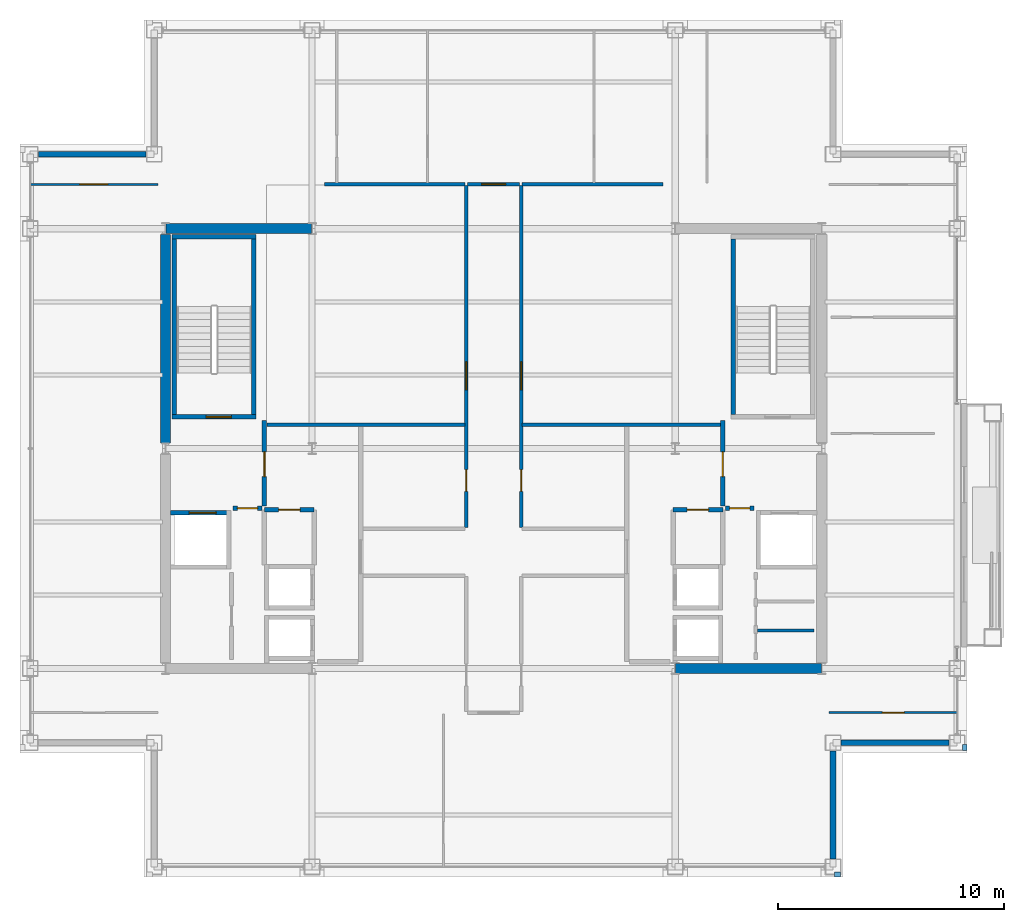
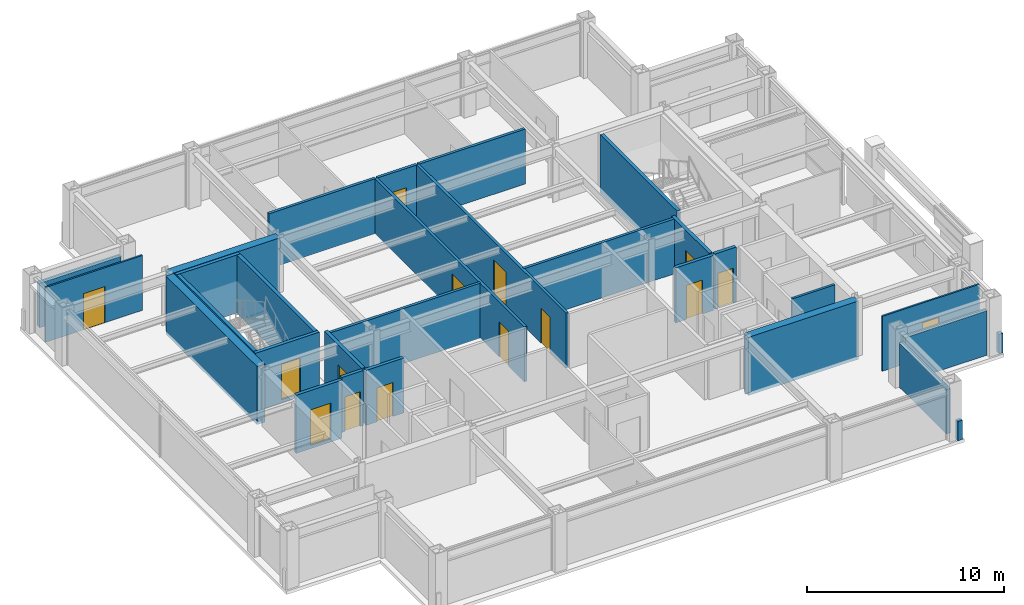
# One storey, part 25 of 29: 30 walls, 15 doors, 15 openings.
"""IFC4 building model written with IfcOpenShell, lengths in metres."""

from ifc_helpers import new_model, si_unit, direction, frame, frame_2d, origin, place, context, subcontext, project, spatial, rectangle, extrude, material, layer, layer_set, type_object, element, fill, save


model = new_model("IFC4")

# Units and contexts
model_context = context("Model", 3, precision=1e-05, world=origin(), true_north=direction((0.0, 1.0)))
body_context = subcontext(model_context, "Body", "Model", "MODEL_VIEW")
ifc_project = project(units=[si_unit("LENGTHUNIT", "METRE"), si_unit("AREAUNIT", "SQUARE_METRE"), si_unit("VOLUMEUNIT", "CUBIC_METRE"), si_unit("PLANEANGLEUNIT", "RADIAN"), si_unit("MASSUNIT", "GRAM", prefix="KILO")], contexts=[model_context])

# Site, building, storey
site_placement = place(None, origin())
site = spatial("IfcSite", under=ifc_project, at=site_placement, CompositionType="ELEMENT")
building_placement = place(site_placement, origin())
building = spatial("IfcBuilding", under=site, at=building_placement, Name="Brelmoor Portico Tower", CompositionType="ELEMENT")
storey_placement = place(building_placement, frame((0.0, 0.0, 201.89990234375)))
storey = spatial("IfcBuildingStorey", under=building, at=storey_placement, Name="L53", CompositionType="ELEMENT", Elevation=201.89990234375)

# Walls
ifc_material_1 = material(Name="Concrete C50", Category="concrete")
ifc_layer_1 = layer(ifc_material_1, 0.449951171875)
ifc_layer_set_1 = layer_set([ifc_layer_1], Name="Concrete C50")
wall_type_1 = type_object("IfcWallType", Name="WL-CORE-450", PredefinedType="SHEAR", material=ifc_layer_set_1)
wall_1_placement = place(storey_placement, frame((-14.530029296875, 9.75, -0.199951171875), z_axis=(0.0, 0.0, 1.0), x_axis=(1.0, 0.0, 0.0)))
element("IfcWall", 1, at=wall_1_placement, inside=storey, type_object=wall_type_1, Name="L53 WC North Shear Wall", PredefinedType="SHEAR", context=body_context, shape_type="SweptSolid", body=[
    extrude(rectangle(XDim=6.4599609375, YDim=0.449951171875, at=frame_2d((3.22998046875, 0.0))), origin(), (0.0, 0.0, 1.0), 3.60009765625),
])
wall_2_placement = place(storey_placement, frame((-14.550048828125, 0.25, -0.199951171875), z_axis=(0.0, 0.0, 1.0), x_axis=(0.0, 1.0, 0.0)))
element("IfcWall", 2, at=wall_2_placement, inside=storey, type_object=wall_type_1, Name="L53 WC Outer North Shear Wall", PredefinedType="SHEAR", context=body_context, shape_type="SweptSolid", body=[
    extrude(rectangle(XDim=9.25, YDim=0.449951171875, at=frame_2d((4.625, 0.0))), origin(), (0.0, 0.0, 1.0), 3.60009765625),
])
wall_3_placement = place(storey_placement, frame((8.070068359375, -9.75, -0.199951171875), z_axis=(0.0, 0.0, 1.0), x_axis=(1.0, 0.0, 0.0)))
element("IfcWall", 3, at=wall_3_placement, inside=storey, type_object=wall_type_1, Name="L53 EC South Shear Wall", PredefinedType="SHEAR", context=body_context, shape_type="SweptSolid", body=[
    extrude(rectangle(XDim=6.4599609375, YDim=0.449951171875, at=frame_2d((3.22998046875, 0.0))), origin(), (0.0, 0.0, 1.0), 3.60009765625),
])
ifc_material_2 = material(Name="Precast Concrete C40 Insulated Facade Wall", Category="concrete")
ifc_layer_2 = layer(ifc_material_2, 0.25)
ifc_layer_set_2 = layer_set([ifc_layer_2], Name="Precast Concrete C40 Insulated Facade Wall")
wall_type_2 = type_object("IfcWallType", Name="WL-EXT-250", PredefinedType="STANDARD", material=ifc_layer_set_2)
for number, where, z_axis, x_axis, name in (
    (4, (15.409912109375, -13.050048828125, 0.0), (0.0, 0.0, 1.0), (1.0, 0.0, 0.0), "L53 Corner Notch Facade Wall NSEH1"),
    (5, (15.050048828125, -18.18994140625, 0.0), (0.0, 0.0, 1.0), (0.0, 1.0, 0.0), "L53 Corner Notch Facade Wall NSEV1"),
    (6, (-20.18994140625, 13.050048828125, 0.0), (0.0, 0.0, 1.0), (1.0, 0.0, 0.0), "L53 Corner Notch Facade Wall NNWH1"),
):
    element("IfcWall", number, at=place(storey_placement, frame(where, z_axis=z_axis, x_axis=x_axis)), inside=storey, type_object=wall_type_2, Name=name, PredefinedType="STANDARD", context=body_context, shape_type="SweptSolid", body=[
        extrude(rectangle(XDim=4.780029296875, YDim=0.25, at=frame_2d((2.39013671875, 0.0))), origin(), (0.0, 0.0, 1.0), 2.75),
    ])
ifc_material_3 = material(Name="Concrete C40 Parapet Upstand", Category="concrete")
ifc_layer_3 = layer(ifc_material_3, 0.219970703125)
ifc_layer_set_3 = layer_set([ifc_layer_3], Name="Concrete C40 Parapet Upstand")
wall_type_3 = type_object("IfcWallType", Name="WL-PARAPET-220", PredefinedType="PARAPET", material=ifc_layer_set_3)
for number, where, z_axis, x_axis, name in (
    (7, (15.1201171875, -18.889892578125, 0.0), (0.0, 0.0, 1.0), (1.0, 0.0, 0.0), "L53 Chamfer Vertex Parapet Pier SE1"),
    (8, (20.889892578125, -13.389892578125, 0.0), (0.0, 0.0, 1.0), (0.0, 1.0, 0.0), "L53 Chamfer Vertex Parapet Pier SE2"),
):
    element("IfcWall", number, at=place(storey_placement, frame(where, z_axis=z_axis, x_axis=x_axis)), inside=storey, type_object=wall_type_3, Name=name, PredefinedType="PARAPET", context=body_context, shape_type="SweptSolid", body=[
        extrude(rectangle(XDim=0.269775390625, YDim=0.219970703125, at=frame_2d((0.134765625, 0.0))), origin(), (0.0, 0.0, 1.0), 1.2001953125),
    ])

# Wall, opening, door
ifc_material_4 = material(Name="Demountable Glazed Office Partition", Category="aluminium")
ifc_layer_4 = layer(ifc_material_4, 0.10009765625)
ifc_layer_set_4 = layer_set([ifc_layer_4], Name="Demountable Glazed Office Partition")
wall_type_4 = type_object("IfcWallType", Name="WL-PART-100", PredefinedType="PARTITIONING", material=ifc_layer_set_4)
wall_4_placement = place(storey_placement, frame((-20.56005859375, 11.7099609375, 0.0), z_axis=(0.0, 0.0, 1.0), x_axis=(1.0, 0.0, 0.0)))
wall_4 = element("IfcWall", 9, at=wall_4_placement, inside=storey, type_object=wall_type_4, Name="L53 North Wing Suite Wall WL", PredefinedType="PARTITIONING", context=body_context, shape_type="SweptSolid", body=[
    extrude(rectangle(XDim=5.68017578125, YDim=0.10009765625, at=frame_2d((2.840087890625, 0.0))), origin(), (0.0, 0.0, 1.0), 3.400146484375),
])
opening_1_placement = place(wall_4_placement, frame((2.219970703125, 0.0, 0.0)))
opening_1 = element("IfcOpeningElement", 10, at=opening_1_placement, cuts=wall_4, Name="Opening D-SU1", PredefinedType="OPENING", context=body_context, shape_type="SweptSolid", body=[
    extrude(rectangle(XDim=1.239990234375, YDim=2.239990234375, at=frame_2d((0.6201171875, 1.1201171875))), frame((0.0, 0.06005859375, 0.0), z_axis=(0.0, -1.0, 0.0), x_axis=(1.0, 0.0, 0.0)), (0.0, 0.0, 1.0), 0.1201171875),
])
ifc_material_5 = material(Name="Glazed Timber Executive Suite Door", Category="wood")
door_type_1 = type_object("IfcDoorType", Name="DR-SUITE-1200", OperationType="NOTDEFINED", PredefinedType="DOOR", material=ifc_material_5)
door_1_placement = place(opening_1_placement, origin())
door_1 = element("IfcDoor", 11, at=door_1_placement, inside=storey, type_object=door_type_1, Name="D-2244 L53 WL Wing Suite Connecting Door", OperationType="SINGLE_SWING_LEFT", OverallHeight=2.239990234375, OverallWidth=1.239990234375, PredefinedType="DOOR", context=body_context, shape_type="SweptSolid", body=[
    extrude(rectangle(XDim=1.239990234375, YDim=2.239990234375, at=frame_2d((0.6201171875, 1.1201171875))), frame((0.0, 0.02490234375, 0.0), z_axis=(0.0, -1.0, 0.0), x_axis=(1.0, 0.0, 0.0)), (0.0, 0.0, 1.0), 0.050048828125),
])
fill(opening_1, door_1)

wall_5_placement = place(storey_placement, frame((14.8798828125, -11.7099609375, 0.0), z_axis=(0.0, 0.0, 1.0), x_axis=(1.0, 0.0, 0.0)))
wall_5 = element("IfcWall", 12, at=wall_5_placement, inside=storey, type_object=wall_type_4, Name="L53 South Wing Closure ER", PredefinedType="PARTITIONING", context=body_context, shape_type="SweptSolid", body=[
    extrude(rectangle(XDim=5.68017578125, YDim=0.10009765625, at=frame_2d((2.840087890625, 0.0))), origin(), (0.0, 0.0, 1.0), 3.400146484375),
])
opening_2_placement = place(wall_5_placement, frame((2.360107421875, 0.0, 0.0)))
opening_2 = element("IfcOpeningElement", 13, at=opening_2_placement, cuts=wall_5, Name="Opening D-IN2", PredefinedType="OPENING", context=body_context, shape_type="SweptSolid", body=[
    extrude(rectangle(XDim=0.9599609375, YDim=2.179931640625, at=frame_2d((0.47998046875, 1.08984375))), frame((0.0, 0.06005859375, 0.0), z_axis=(0.0, -1.0, 0.0), x_axis=(1.0, 0.0, 0.0)), (0.0, 0.0, 1.0), 0.1201171875),
])
ifc_material_6 = material(Name="Lacquered Timber Suite Door", Category="wood")
door_type_2 = type_object("IfcDoorType", Name="DR-INT-950", OperationType="NOTDEFINED", PredefinedType="DOOR", material=ifc_material_6)
door_2_placement = place(opening_2_placement, origin())
door_2 = element("IfcDoor", 14, at=door_2_placement, inside=storey, type_object=door_type_2, Name="D-2249 L53 ER Wing South Suite Door", OperationType="SINGLE_SWING_LEFT", OverallHeight=2.179931640625, OverallWidth=0.9599609375, PredefinedType="DOOR", context=body_context, shape_type="SweptSolid", body=[
    extrude(rectangle(XDim=0.9599609375, YDim=2.179931640625, at=frame_2d((0.47998046875, 1.08984375))), frame((0.0, 0.02490234375, 0.0), z_axis=(0.0, -1.0, 0.0), x_axis=(1.0, 0.0, 0.0)), (0.0, 0.0, 1.0), 0.050048828125),
])
fill(opening_2, door_2)

# Walls
ifc_material_7 = material(Name="Insulated Stud Suite Partition", Category="gypsum")
ifc_layer_5 = layer(ifc_material_7, 0.139892578125)
ifc_layer_set_5 = layer_set([ifc_layer_5], Name="Insulated Stud Suite Partition")
wall_type_5 = type_object("IfcWallType", Name="WL-PART-140", PredefinedType="PARTITIONING", material=ifc_layer_set_5)
wall_6_placement = place(storey_placement, frame((11.699951171875, -8.066650390625, 0.0), z_axis=(0.0, 0.0, 1.0), x_axis=(1.0, 0.0, 0.0)))
element("IfcWall", 15, at=wall_6_placement, inside=storey, type_object=wall_type_5, Name="L53 E Core WC Divider 1", PredefinedType="PARTITIONING", context=body_context, shape_type="SweptSolid", body=[
    extrude(rectangle(XDim=2.5, YDim=0.139892578125, at=frame_2d((1.25, 0.0))), origin(), (0.0, 0.0, 1.0), 3.400146484375),
])
ifc_material_8 = material(Name="Twin-Frame Acoustic Partition", Category="gypsum")
ifc_layer_6 = layer(ifc_material_8, 0.159912109375)
ifc_layer_set_6 = layer_set([ifc_layer_6], Name="Twin-Frame Acoustic Partition")
wall_type_6 = type_object("IfcWallType", Name="WL-PART-160", PredefinedType="PARTITIONING", material=ifc_layer_set_6)
wall_7_placement = place(storey_placement, frame((-10.050048828125, 1.050048828125, 0.0), z_axis=(0.0, 0.0, 1.0), x_axis=(1.0, 0.0, 0.0)))
element("IfcWall", 16, at=wall_7_placement, inside=storey, type_object=wall_type_6, Name="L53 West Reclaimed Suite South Wall", PredefinedType="PARTITIONING", context=body_context, shape_type="SweptSolid", body=[
    extrude(rectangle(XDim=8.7900390625, YDim=0.159912109375, at=frame_2d((4.39501953125, 0.0))), origin(), (0.0, 0.0, 1.0), 3.400146484375),
])

# Wall, openings, doors
wall_8_placement = place(storey_placement, frame((-1.219970703125, -3.5, 0.0), z_axis=(0.0, 0.0, 1.0), x_axis=(0.0, 1.0, 0.0)))
wall_8 = element("IfcWall", 17, at=wall_8_placement, inside=storey, type_object=wall_type_6, Name="L53 Central Cross West Wall", PredefinedType="PARTITIONING", context=body_context, shape_type="SweptSolid", body=[
    extrude(rectangle(XDim=15.169921875, YDim=0.159912109375, at=frame_2d((7.5849609375, 0.0))), origin(), (0.0, 0.0, 1.0), 3.400146484375),
])
opening_3_placement = place(wall_8_placement, frame((6.10009765625, 0.0, 0.0)))
opening_3 = element("IfcOpeningElement", 18, at=opening_3_placement, cuts=wall_8, Name="Opening D-SU1", PredefinedType="OPENING", context=body_context, shape_type="SweptSolid", body=[
    extrude(rectangle(XDim=1.239990234375, YDim=2.239990234375, at=frame_2d((0.6201171875, 1.1201171875))), frame((0.0, 0.08984375, 0.0), z_axis=(0.0, -1.0, 0.0), x_axis=(1.0, 0.0, 0.0)), (0.0, 0.0, 1.0), 0.179931640625),
])
opening_4_placement = place(wall_8_placement, frame((1.60009765625, 0.0, 0.0)))
opening_4 = element("IfcOpeningElement", 19, at=opening_4_placement, cuts=wall_8, Name="Opening D-IN2", PredefinedType="OPENING", context=body_context, shape_type="SweptSolid", body=[
    extrude(rectangle(XDim=0.9599609375, YDim=2.179931640625, at=frame_2d((0.47998046875, 1.08984375))), frame((0.0, 0.08984375, 0.0), z_axis=(0.0, -1.0, 0.0), x_axis=(1.0, 0.0, 0.0)), (0.0, 0.0, 1.0), 0.179931640625),
])
door_3_placement = place(opening_4_placement, origin())
door_3 = element("IfcDoor", 20, at=door_3_placement, inside=storey, type_object=door_type_2, Name="D-2224 L53 Staff Pantry Door", OperationType="SINGLE_SWING_LEFT", OverallHeight=2.179931640625, OverallWidth=0.9599609375, PredefinedType="DOOR", context=body_context, shape_type="SweptSolid", body=[
    extrude(rectangle(XDim=0.9599609375, YDim=2.179931640625, at=frame_2d((0.47998046875, 1.08984375))), frame((0.0, 0.02490234375, 0.0), z_axis=(0.0, -1.0, 0.0), x_axis=(1.0, 0.0, 0.0)), (0.0, 0.0, 1.0), 0.050048828125),
])
fill(opening_4, door_3)
door_4_placement = place(opening_3_placement, origin())
door_4 = element("IfcDoor", 21, at=door_4_placement, inside=storey, type_object=door_type_1, Name="D-2225 L53 West Reclaimed Studio Door", OperationType="SINGLE_SWING_RIGHT", OverallHeight=2.239990234375, OverallWidth=1.239990234375, PredefinedType="DOOR", context=body_context, shape_type="SweptSolid", body=[
    extrude(rectangle(XDim=1.239990234375, YDim=2.239990234375, at=frame_2d((0.6201171875, 1.1201171875))), frame((0.0, 0.02490234375, 0.0), z_axis=(0.0, -1.0, 0.0), x_axis=(1.0, 0.0, 0.0)), (0.0, 0.0, 1.0), 0.050048828125),
])
fill(opening_3, door_4)

# Walls
wall_9_placement = place(storey_placement, frame((-7.5, 11.7099609375, 0.0), z_axis=(0.0, 0.0, 1.0), x_axis=(1.0, 0.0, 0.0)))
element("IfcWall", 22, at=wall_9_placement, inside=storey, type_object=wall_type_6, Name="L53 West Reclaimed Suite North Wall", PredefinedType="PARTITIONING", context=body_context, shape_type="SweptSolid", body=[
    extrude(rectangle(XDim=6.239990234375, YDim=0.159912109375, at=frame_2d((3.1201171875, 0.0))), origin(), (0.0, 0.0, 1.0), 3.400146484375),
])
wall_10_placement = place(storey_placement, frame((1.260009765625, 1.050048828125, 0.0), z_axis=(0.0, 0.0, 1.0), x_axis=(1.0, 0.0, 0.0)))
element("IfcWall", 23, at=wall_10_placement, inside=storey, type_object=wall_type_6, Name="L53 East Suite South Wall", PredefinedType="PARTITIONING", context=body_context, shape_type="SweptSolid", body=[
    extrude(rectangle(XDim=8.800048828125, YDim=0.159912109375, at=frame_2d((4.39990234375, 0.0))), origin(), (0.0, 0.0, 1.0), 3.400146484375),
])

# Wall, openings, doors
wall_11_placement = place(storey_placement, frame((1.219970703125, -3.5, 0.0), z_axis=(0.0, 0.0, 1.0), x_axis=(0.0, 1.0, 0.0)))
wall_11 = element("IfcWall", 24, at=wall_11_placement, inside=storey, type_object=wall_type_6, Name="L53 Central Cross East Wall", PredefinedType="PARTITIONING", context=body_context, shape_type="SweptSolid", body=[
    extrude(rectangle(XDim=15.169921875, YDim=0.159912109375, at=frame_2d((7.5849609375, 0.0))), origin(), (0.0, 0.0, 1.0), 3.400146484375),
])
opening_5_placement = place(wall_11_placement, frame((6.10009765625, 0.0, 0.0)))
opening_5 = element("IfcOpeningElement", 25, at=opening_5_placement, cuts=wall_11, Name="Opening D-SU1", PredefinedType="OPENING", context=body_context, shape_type="SweptSolid", body=[
    extrude(rectangle(XDim=1.239990234375, YDim=2.239990234375, at=frame_2d((0.6201171875, 1.1201171875))), frame((0.0, 0.08984375, 0.0), z_axis=(0.0, -1.0, 0.0), x_axis=(1.0, 0.0, 0.0)), (0.0, 0.0, 1.0), 0.179931640625),
])
opening_6_placement = place(wall_11_placement, frame((1.60009765625, 0.0, 0.0)))
opening_6 = element("IfcOpeningElement", 26, at=opening_6_placement, cuts=wall_11, Name="Opening D-IN2", PredefinedType="OPENING", context=body_context, shape_type="SweptSolid", body=[
    extrude(rectangle(XDim=0.9599609375, YDim=2.179931640625, at=frame_2d((0.47998046875, 1.08984375))), frame((0.0, 0.08984375, 0.0), z_axis=(0.0, -1.0, 0.0), x_axis=(1.0, 0.0, 0.0)), (0.0, 0.0, 1.0), 0.179931640625),
])
door_5_placement = place(opening_6_placement, origin())
door_5 = element("IfcDoor", 27, at=door_5_placement, inside=storey, type_object=door_type_2, Name="D-2220 L53 Client Project Office Door", OperationType="SINGLE_SWING_LEFT", OverallHeight=2.179931640625, OverallWidth=0.9599609375, PredefinedType="DOOR", context=body_context, shape_type="SweptSolid", body=[
    extrude(rectangle(XDim=0.9599609375, YDim=2.179931640625, at=frame_2d((0.47998046875, 1.08984375))), frame((0.0, 0.02490234375, 0.0), z_axis=(0.0, -1.0, 0.0), x_axis=(1.0, 0.0, 0.0)), (0.0, 0.0, 1.0), 0.050048828125),
])
fill(opening_6, door_5)
door_6_placement = place(opening_5_placement, origin())
door_6 = element("IfcDoor", 28, at=door_6_placement, inside=storey, type_object=door_type_1, Name="D-2221 L53 East Reclaimed Studio Door", OperationType="SINGLE_SWING_RIGHT", OverallHeight=2.239990234375, OverallWidth=1.239990234375, PredefinedType="DOOR", context=body_context, shape_type="SweptSolid", body=[
    extrude(rectangle(XDim=1.239990234375, YDim=2.239990234375, at=frame_2d((0.6201171875, 1.1201171875))), frame((0.0, 0.02490234375, 0.0), z_axis=(0.0, -1.0, 0.0), x_axis=(1.0, 0.0, 0.0)), (0.0, 0.0, 1.0), 0.050048828125),
])
fill(opening_5, door_6)

# Wall
wall_12_placement = place(storey_placement, frame((1.260009765625, 11.7099609375, 0.0), z_axis=(0.0, 0.0, 1.0), x_axis=(1.0, 0.0, 0.0)))
element("IfcWall", 29, at=wall_12_placement, inside=storey, type_object=wall_type_6, Name="L53 East Suite North Wall", PredefinedType="PARTITIONING", context=body_context, shape_type="SweptSolid", body=[
    extrude(rectangle(XDim=6.239990234375, YDim=0.159912109375, at=frame_2d((3.1201171875, 0.0))), origin(), (0.0, 0.0, 1.0), 3.400146484375),
])

# Wall, opening, door
wall_13_placement = place(storey_placement, frame((-1.14990234375, 11.7099609375, 0.0), z_axis=(0.0, 0.0, 1.0), x_axis=(1.0, 0.0, 0.0)))
wall_13 = element("IfcWall", 30, at=wall_13_placement, inside=storey, type_object=wall_type_6, Name="L53 North Corridor Partition", PredefinedType="PARTITIONING", context=body_context, shape_type="SweptSolid", body=[
    extrude(rectangle(XDim=2.2998046875, YDim=0.159912109375, at=frame_2d((1.14990234375, 0.0))), origin(), (0.0, 0.0, 1.0), 3.400146484375),
])
opening_7_placement = place(wall_13_placement, frame((0.6201171875, 0.0, 0.0)))
opening_7 = element("IfcOpeningElement", 31, at=opening_7_placement, cuts=wall_13, Name="Opening D-OF2", PredefinedType="OPENING", context=body_context, shape_type="SweptSolid", body=[
    extrude(rectangle(XDim=1.06005859375, YDim=2.199951171875, at=frame_2d((0.530029296875, 1.10009765625))), frame((0.0, 0.08984375, 0.0), z_axis=(0.0, -1.0, 0.0), x_axis=(1.0, 0.0, 0.0)), (0.0, 0.0, 1.0), 0.179931640625),
])
ifc_material_9 = material(Name="Hardwood Acoustic Veneer Door", Category="wood")
door_type_3 = type_object("IfcDoorType", Name="DR-OFFICE-1050", OperationType="NOTDEFINED", PredefinedType="DOOR", material=ifc_material_9)
door_7_placement = place(opening_7_placement, origin())
door_7 = element("IfcDoor", 32, at=door_7_placement, inside=storey, type_object=door_type_3, Name="D-2238 L53 North Partner Office 3 Door", OperationType="SINGLE_SWING_RIGHT", OverallHeight=2.199951171875, OverallWidth=1.06005859375, PredefinedType="DOOR", context=body_context, shape_type="SweptSolid", body=[
    extrude(rectangle(XDim=1.06005859375, YDim=2.199951171875, at=frame_2d((0.530029296875, 1.10009765625))), frame((0.0, 0.02490234375, 0.0), z_axis=(0.0, -1.0, 0.0), x_axis=(1.0, 0.0, 0.0)), (0.0, 0.0, 1.0), 0.050048828125),
])
fill(opening_7, door_7)

ifc_material_10 = material(Name="Double-Stud Gypsum Fire Partition", Category="gypsum")
ifc_layer_7 = layer(ifc_material_10, 0.199951171875)
ifc_layer_set_7 = layer_set([ifc_layer_7], Name="Double-Stud Gypsum Fire Partition")
wall_type_7 = type_object("IfcWallType", Name="WL-PART-200", PredefinedType="PARTITIONING", material=ifc_layer_set_7)
wall_14_placement = place(storey_placement, frame((-10.159912109375, -2.550048828125, 0.0), z_axis=(0.0, 0.0, 1.0), x_axis=(0.0, 1.0, 0.0)))
wall_14 = element("IfcWall", 33, at=wall_14_placement, inside=storey, type_object=wall_type_7, Name="L53 W Firefighting Lobby Wall", PredefinedType="PARTITIONING", context=body_context, shape_type="SweptSolid", body=[
    extrude(rectangle(XDim=3.800048828125, YDim=0.199951171875, at=frame_2d((1.89990234375, 0.0))), origin(), (0.0, 0.0, 1.0), 3.400146484375),
])
opening_8_placement = place(wall_14_placement, frame((1.300048828125, 0.0, 0.0)))
opening_8 = element("IfcOpeningElement", 34, at=opening_8_placement, cuts=wall_14, Name="Opening D-FR1", PredefinedType="OPENING", context=body_context, shape_type="SweptSolid", body=[
    extrude(rectangle(XDim=1.10009765625, YDim=2.14990234375, at=frame_2d((0.550048828125, 1.074951171875))), frame((0.0, 0.10986328125, 0.0), z_axis=(0.0, -1.0, 0.0), x_axis=(1.0, 0.0, 0.0)), (0.0, 0.0, 1.0), 0.219970703125),
])
ifc_material_11 = material(Name="Painted Galvanised Steel Fire Door", Category="steel")
door_type_4 = type_object("IfcDoorType", Name="DR-FIRE-1100", OperationType="NOTDEFINED", PredefinedType="DOOR", material=ifc_material_11)
door_8_placement = place(opening_8_placement, origin())
door_8 = element("IfcDoor", 35, at=door_8_placement, inside=storey, type_object=door_type_4, Name="D-2235 L53 W Firefighting Lobby Door", OperationType="SINGLE_SWING_RIGHT", OverallHeight=2.14990234375, OverallWidth=1.10009765625, PredefinedType="DOOR", context=body_context, shape_type="SweptSolid", body=[
    extrude(rectangle(XDim=1.10009765625, YDim=2.14990234375, at=frame_2d((0.550048828125, 1.074951171875))), frame((0.0, 0.02490234375, 0.0), z_axis=(0.0, -1.0, 0.0), x_axis=(1.0, 0.0, 0.0)), (0.0, 0.0, 1.0), 0.050048828125),
])
fill(opening_8, door_8)

wall_15_placement = place(storey_placement, frame((-10.280029296875, -2.64990234375, 0.0), z_axis=(0.0, 0.0, 1.0), x_axis=(-1.0, 0.0, 0.0)))
wall_15 = element("IfcWall", 36, at=wall_15_placement, inside=storey, type_object=wall_type_7, Name="L53 W Firefighting Lobby South Wall", PredefinedType="PARTITIONING", context=body_context, shape_type="SweptSolid", body=[
    extrude(rectangle(XDim=1.27001953125, YDim=0.199951171875, at=frame_2d((0.635009765625, 0.0))), origin(), (0.0, 0.0, 1.0), 3.400146484375),
])
opening_9_placement = place(wall_15_placement, frame((0.18505859375, 0.0, 0.0)))
opening_9 = element("IfcOpeningElement", 37, at=opening_9_placement, cuts=wall_15, Name="Opening D-IN1", PredefinedType="OPENING", context=body_context, shape_type="SweptSolid", body=[
    extrude(rectangle(XDim=0.89990234375, YDim=2.14990234375, at=frame_2d((0.449951171875, 1.074951171875))), frame((0.0, 0.10986328125, 0.0), z_axis=(0.0, -1.0, 0.0), x_axis=(1.0, 0.0, 0.0)), (0.0, 0.0, 1.0), 0.219970703125),
])
door_type_5 = type_object("IfcDoorType", Name="DR-INT-900", OperationType="NOTDEFINED", PredefinedType="DOOR", material=ifc_material_6)
door_9_placement = place(opening_9_placement, origin())
door_9 = element("IfcDoor", 38, at=door_9_placement, inside=storey, type_object=door_type_5, Name="D-2230 L53 W Core Service Vestibule Door", OperationType="SINGLE_SWING_LEFT", OverallHeight=2.14990234375, OverallWidth=0.89990234375, PredefinedType="DOOR", context=body_context, shape_type="SweptSolid", body=[
    extrude(rectangle(XDim=0.89990234375, YDim=2.14990234375, at=frame_2d((0.449951171875, 1.074951171875))), frame((0.0, 0.02490234375, 0.0), z_axis=(0.0, -1.0, 0.0), x_axis=(1.0, 0.0, 0.0)), (0.0, 0.0, 1.0), 0.050048828125),
])
fill(opening_9, door_9)

wall_16_placement = place(storey_placement, frame((-7.9599609375, -2.719970703125, 0.0), z_axis=(0.0, 0.0, 1.0), x_axis=(-1.0, 0.0, 0.0)))
wall_16 = element("IfcWall", 39, at=wall_16_placement, inside=storey, type_object=wall_type_7, Name="L53 W Electrical Switchgear Closet Wall", PredefinedType="PARTITIONING", context=body_context, shape_type="SweptSolid", body=[
    extrude(rectangle(XDim=2.199951171875, YDim=0.199951171875, at=frame_2d((1.10009765625, 0.0))), origin(), (0.0, 0.0, 1.0), 3.400146484375),
])
opening_10_placement = place(wall_16_placement, frame((0.6201171875, 0.0, 0.0)))
opening_10 = element("IfcOpeningElement", 40, at=opening_10_placement, cuts=wall_16, Name="Opening D-FR4", PredefinedType="OPENING", context=body_context, shape_type="SweptSolid", body=[
    extrude(rectangle(XDim=0.949951171875, YDim=2.10009765625, at=frame_2d((0.47509765625, 1.050048828125))), frame((0.0, 0.10986328125, 0.0), z_axis=(0.0, -1.0, 0.0), x_axis=(1.0, 0.0, 0.0)), (0.0, 0.0, 1.0), 0.219970703125),
])
ifc_material_12 = material(Name="Painted Galvanised Steel Riser Door", Category="steel")
door_type_6 = type_object("IfcDoorType", Name="DR-FIRE-950", OperationType="NOTDEFINED", PredefinedType="DOOR", material=ifc_material_12)
door_10_placement = place(opening_10_placement, origin())
door_10 = element("IfcDoor", 41, at=door_10_placement, inside=storey, type_object=door_type_6, Name="D-2233 L53 W Electrical Switchgear Closet Door", OperationType="SINGLE_SWING_RIGHT", OverallHeight=2.10009765625, OverallWidth=0.949951171875, PredefinedType="DOOR", context=body_context, shape_type="SweptSolid", body=[
    extrude(rectangle(XDim=0.949951171875, YDim=2.10009765625, at=frame_2d((0.47509765625, 1.050048828125))), frame((0.0, 0.02490234375, 0.0), z_axis=(0.0, -1.0, 0.0), x_axis=(1.0, 0.0, 0.0)), (0.0, 0.0, 1.0), 0.050048828125),
])
fill(opening_10, door_10)

wall_17_placement = place(storey_placement, frame((10.159912109375, -2.550048828125, 0.0), z_axis=(0.0, 0.0, 1.0), x_axis=(0.0, 1.0, 0.0)))
wall_17 = element("IfcWall", 42, at=wall_17_placement, inside=storey, type_object=wall_type_7, Name="L53 E Firefighting Lobby Wall", PredefinedType="PARTITIONING", context=body_context, shape_type="SweptSolid", body=[
    extrude(rectangle(XDim=3.800048828125, YDim=0.199951171875, at=frame_2d((1.89990234375, 0.0))), origin(), (0.0, 0.0, 1.0), 3.400146484375),
])
opening_11_placement = place(wall_17_placement, frame((1.300048828125, 0.0, 0.0)))
opening_11 = element("IfcOpeningElement", 43, at=opening_11_placement, cuts=wall_17, Name="Opening D-FR1", PredefinedType="OPENING", context=body_context, shape_type="SweptSolid", body=[
    extrude(rectangle(XDim=1.10009765625, YDim=2.14990234375, at=frame_2d((0.550048828125, 1.074951171875))), frame((0.0, 0.10986328125, 0.0), z_axis=(0.0, -1.0, 0.0), x_axis=(1.0, 0.0, 0.0)), (0.0, 0.0, 1.0), 0.219970703125),
])
door_11_placement = place(opening_11_placement, origin())
door_11 = element("IfcDoor", 44, at=door_11_placement, inside=storey, type_object=door_type_4, Name="D-2234 L53 E Firefighting Lobby Door", OperationType="SINGLE_SWING_RIGHT", OverallHeight=2.14990234375, OverallWidth=1.10009765625, PredefinedType="DOOR", context=body_context, shape_type="SweptSolid", body=[
    extrude(rectangle(XDim=1.10009765625, YDim=2.14990234375, at=frame_2d((0.550048828125, 1.074951171875))), frame((0.0, 0.02490234375, 0.0), z_axis=(0.0, -1.0, 0.0), x_axis=(1.0, 0.0, 0.0)), (0.0, 0.0, 1.0), 0.050048828125),
])
fill(opening_11, door_11)

wall_18_placement = place(storey_placement, frame((10.280029296875, -2.64990234375, 0.0), z_axis=(0.0, 0.0, 1.0), x_axis=(1.0, 0.0, 0.0)))
wall_18 = element("IfcWall", 45, at=wall_18_placement, inside=storey, type_object=wall_type_7, Name="L53 E Firefighting Lobby South Wall", PredefinedType="PARTITIONING", context=body_context, shape_type="SweptSolid", body=[
    extrude(rectangle(XDim=1.27001953125, YDim=0.199951171875, at=frame_2d((0.635009765625, 0.0))), origin(), (0.0, 0.0, 1.0), 3.400146484375),
])
opening_12_placement = place(wall_18_placement, frame((0.18505859375, 0.0, 0.0)))
opening_12 = element("IfcOpeningElement", 46, at=opening_12_placement, cuts=wall_18, Name="Opening D-IN1", PredefinedType="OPENING", context=body_context, shape_type="SweptSolid", body=[
    extrude(rectangle(XDim=0.89990234375, YDim=2.14990234375, at=frame_2d((0.449951171875, 1.074951171875))), frame((0.0, 0.10986328125, 0.0), z_axis=(0.0, -1.0, 0.0), x_axis=(1.0, 0.0, 0.0)), (0.0, 0.0, 1.0), 0.219970703125),
])
door_12_placement = place(opening_12_placement, origin())
door_12 = element("IfcDoor", 47, at=door_12_placement, inside=storey, type_object=door_type_5, Name="D-2229 L53 E Core Service Vestibule Door", OperationType="SINGLE_SWING_LEFT", OverallHeight=2.14990234375, OverallWidth=0.89990234375, PredefinedType="DOOR", context=body_context, shape_type="SweptSolid", body=[
    extrude(rectangle(XDim=0.89990234375, YDim=2.14990234375, at=frame_2d((0.449951171875, 1.074951171875))), frame((0.0, 0.02490234375, 0.0), z_axis=(0.0, -1.0, 0.0), x_axis=(1.0, 0.0, 0.0)), (0.0, 0.0, 1.0), 0.050048828125),
])
fill(opening_12, door_12)

wall_19_placement = place(storey_placement, frame((7.9599609375, -2.719970703125, 0.0), z_axis=(0.0, 0.0, 1.0), x_axis=(1.0, 0.0, 0.0)))
wall_19 = element("IfcWall", 48, at=wall_19_placement, inside=storey, type_object=wall_type_7, Name="L53 E Electrical Switchgear Closet Wall", PredefinedType="PARTITIONING", context=body_context, shape_type="SweptSolid", body=[
    extrude(rectangle(XDim=2.199951171875, YDim=0.199951171875, at=frame_2d((1.10009765625, 0.0))), origin(), (0.0, 0.0, 1.0), 3.400146484375),
])
opening_13_placement = place(wall_19_placement, frame((0.6201171875, 0.0, 0.0)))
opening_13 = element("IfcOpeningElement", 49, at=opening_13_placement, cuts=wall_19, Name="Opening D-FR4", PredefinedType="OPENING", context=body_context, shape_type="SweptSolid", body=[
    extrude(rectangle(XDim=0.949951171875, YDim=2.10009765625, at=frame_2d((0.47509765625, 1.050048828125))), frame((0.0, 0.10986328125, 0.0), z_axis=(0.0, -1.0, 0.0), x_axis=(1.0, 0.0, 0.0)), (0.0, 0.0, 1.0), 0.219970703125),
])
door_13_placement = place(opening_13_placement, origin())
door_13 = element("IfcDoor", 50, at=door_13_placement, inside=storey, type_object=door_type_6, Name="D-2232 L53 E Electrical Switchgear Closet Door", OperationType="SINGLE_SWING_RIGHT", OverallHeight=2.10009765625, OverallWidth=0.949951171875, PredefinedType="DOOR", context=body_context, shape_type="SweptSolid", body=[
    extrude(rectangle(XDim=0.949951171875, YDim=2.10009765625, at=frame_2d((0.47509765625, 1.050048828125))), frame((0.0, 0.02490234375, 0.0), z_axis=(0.0, -1.0, 0.0), x_axis=(1.0, 0.0, 0.0)), (0.0, 0.0, 1.0), 0.050048828125),
])
fill(opening_13, door_13)

ifc_material_13 = material(Name="Precast Concrete C40", Category="concrete")
ifc_layer_8 = layer(ifc_material_13, 0.18994140625)
ifc_layer_set_8 = layer_set([ifc_layer_8], Name="Precast Concrete C40")
wall_type_8 = type_object("IfcWallType", Name="WL-SHAFT-180", PredefinedType="SOLIDWALL", material=ifc_layer_set_8)
wall_20_placement = place(storey_placement, frame((-14.330078125, -2.844970703125, -0.199951171875), z_axis=(0.0, 0.0, 1.0), x_axis=(1.0, 0.0, 0.0)))
wall_20 = element("IfcWall", 51, at=wall_20_placement, inside=storey, type_object=wall_type_8, Name="L53 Lift FF1 Hoistway Front Wall", PredefinedType="SOLIDWALL", context=body_context, shape_type="SweptSolid", body=[
    extrude(rectangle(XDim=2.68017578125, YDim=0.18994140625, at=frame_2d((1.340087890625, 0.0))), origin(), (0.0, 0.0, 1.0), 3.60009765625),
])
opening_14_placement = place(wall_20_placement, frame((0.830078125, 0.0, 0.199951171875)))
opening_14 = element("IfcOpeningElement", 52, at=opening_14_placement, cuts=wall_20, Name="Opening LD-02", PredefinedType="OPENING", context=body_context, shape_type="SweptSolid", body=[
    extrude(rectangle(XDim=1.199951171875, YDim=2.199951171875, at=frame_2d((0.60009765625, 1.10009765625))), frame((0.0, 0.10498046875, 0.0), z_axis=(0.0, -1.0, 0.0), x_axis=(1.0, 0.0, 0.0)), (0.0, 0.0, 1.0), 0.2099609375),
])
ifc_material_14 = material(Name="Brushed Stainless Steel Firefighting Lift Door", Category="steel")
door_type_7 = type_object("IfcDoorType", Name="DR-LIFT-1200", OperationType="NOTDEFINED", PredefinedType="DOOR", material=ifc_material_14)
door_14_placement = place(opening_14_placement, origin())
door_14 = element("IfcDoor", 53, at=door_14_placement, inside=storey, type_object=door_type_7, Name="D-2254 L53 Lift FF1 Sliding Landing Door", OperationType="SLIDING_TO_LEFT", OverallHeight=2.199951171875, OverallWidth=1.199951171875, PredefinedType="DOOR", context=body_context, shape_type="SweptSolid", body=[
    extrude(rectangle(XDim=1.199951171875, YDim=2.199951171875, at=frame_2d((0.60009765625, 1.10009765625))), frame((0.0, 0.02490234375, 0.0), z_axis=(0.0, -1.0, 0.0), x_axis=(1.0, 0.0, 0.0)), (0.0, 0.0, 1.0), 0.050048828125),
])
fill(opening_14, door_14)

# Wall
ifc_material_15 = material(Name="Concrete C40", Category="concrete")
ifc_layer_9 = layer(ifc_material_15, 0.199951171875)
ifc_layer_set_9 = layer_set([ifc_layer_9], Name="Concrete C40")
wall_type_9 = type_object("IfcWallType", Name="WL-SHAFT-RC200", PredefinedType="SOLIDWALL", material=ifc_layer_set_9)
wall_21_placement = place(storey_placement, frame((-14.14990234375, 1.5, -0.199951171875), z_axis=(0.0, 0.0, 1.0), x_axis=(0.0, 1.0, 0.0)))
element("IfcWall", 54, at=wall_21_placement, inside=storey, type_object=wall_type_9, Name="L53 ST-W Structural Stair Wall Outer", PredefinedType="SOLIDWALL", context=body_context, shape_type="SweptSolid", body=[
    extrude(rectangle(XDim=7.800048828125, YDim=0.199951171875, at=frame_2d((3.89990234375, 0.0))), origin(), (0.0, 0.0, 1.0), 3.60009765625),
])

# Wall, opening, door
wall_22_placement = place(storey_placement, frame((-14.25, 1.39990234375, -0.199951171875), z_axis=(0.0, 0.0, 1.0), x_axis=(1.0, 0.0, 0.0)))
wall_22 = element("IfcWall", 55, at=wall_22_placement, inside=storey, type_object=wall_type_9, Name="L53 ST-W Structural Stair Wall S", PredefinedType="SOLIDWALL", context=body_context, shape_type="SweptSolid", body=[
    extrude(rectangle(XDim=3.719970703125, YDim=0.199951171875, at=frame_2d((1.85986328125, 0.0))), origin(), (0.0, 0.0, 1.0), 3.60009765625),
])
opening_15_placement = place(wall_22_placement, frame((1.5, 0.0, 0.199951171875)))
opening_15 = element("IfcOpeningElement", 56, at=opening_15_placement, cuts=wall_22, Name="Opening D-ST1", PredefinedType="OPENING", context=body_context, shape_type="SweptSolid", body=[
    extrude(rectangle(XDim=1.1201171875, YDim=2.179931640625, at=frame_2d((0.56005859375, 1.08984375))), frame((0.0, 0.10986328125, 0.0), z_axis=(0.0, -1.0, 0.0), x_axis=(1.0, 0.0, 0.0)), (0.0, 0.0, 1.0), 0.219970703125),
])
door_type_8 = type_object("IfcDoorType", Name="DR-STAIR-1100", OperationType="NOTDEFINED", PredefinedType="DOOR", material=ifc_material_11)
door_15_placement = place(opening_15_placement, origin())
door_15 = element("IfcDoor", 57, at=door_15_placement, inside=storey, type_object=door_type_8, Name="D-2248 L53 ST-W Protected Exit Stair Door", OperationType="SINGLE_SWING_LEFT", OverallHeight=2.179931640625, OverallWidth=1.1201171875, PredefinedType="DOOR", context=body_context, shape_type="SweptSolid", body=[
    extrude(rectangle(XDim=1.1201171875, YDim=2.179931640625, at=frame_2d((0.56005859375, 1.08984375))), frame((0.0, 0.02490234375, 0.0), z_axis=(0.0, -1.0, 0.0), x_axis=(1.0, 0.0, 0.0)), (0.0, 0.0, 1.0), 0.050048828125),
])
fill(opening_15, door_15)

# Walls
wall_23_placement = place(storey_placement, frame((-14.25, 9.39990234375, -0.199951171875), z_axis=(0.0, 0.0, 1.0), x_axis=(1.0, 0.0, 0.0)))
element("IfcWall", 58, at=wall_23_placement, inside=storey, type_object=wall_type_9, Name="L53 ST-W Structural Stair Wall N", PredefinedType="SOLIDWALL", context=body_context, shape_type="SweptSolid", body=[
    extrude(rectangle(XDim=3.719970703125, YDim=0.199951171875, at=frame_2d((1.85986328125, 0.0))), origin(), (0.0, 0.0, 1.0), 3.60009765625),
])
for number, where, z_axis, x_axis, name in (
    (59, (-10.6298828125, 1.5, -0.199951171875), (0.0, 0.0, 1.0), (0.0, 1.0, 0.0), "L53 ST-W Structural Stair Wall Inner"),
    (60, (10.6298828125, 1.5, -0.199951171875), (0.0, 0.0, 1.0), (0.0, 1.0, 0.0), "L53 ST-E Structural Stair Wall Inner"),
):
    element("IfcWall", number, at=place(storey_placement, frame(where, z_axis=z_axis, x_axis=x_axis)), inside=storey, type_object=wall_type_9, Name=name, PredefinedType="SOLIDWALL", context=body_context, shape_type="SweptSolid", body=[
        extrude(rectangle(XDim=7.800048828125, YDim=0.199951171875, at=frame_2d((3.89990234375, 0.0))), origin(), (0.0, 0.0, 1.0), 3.60009765625),
    ])

save(model, "model.ifc")
